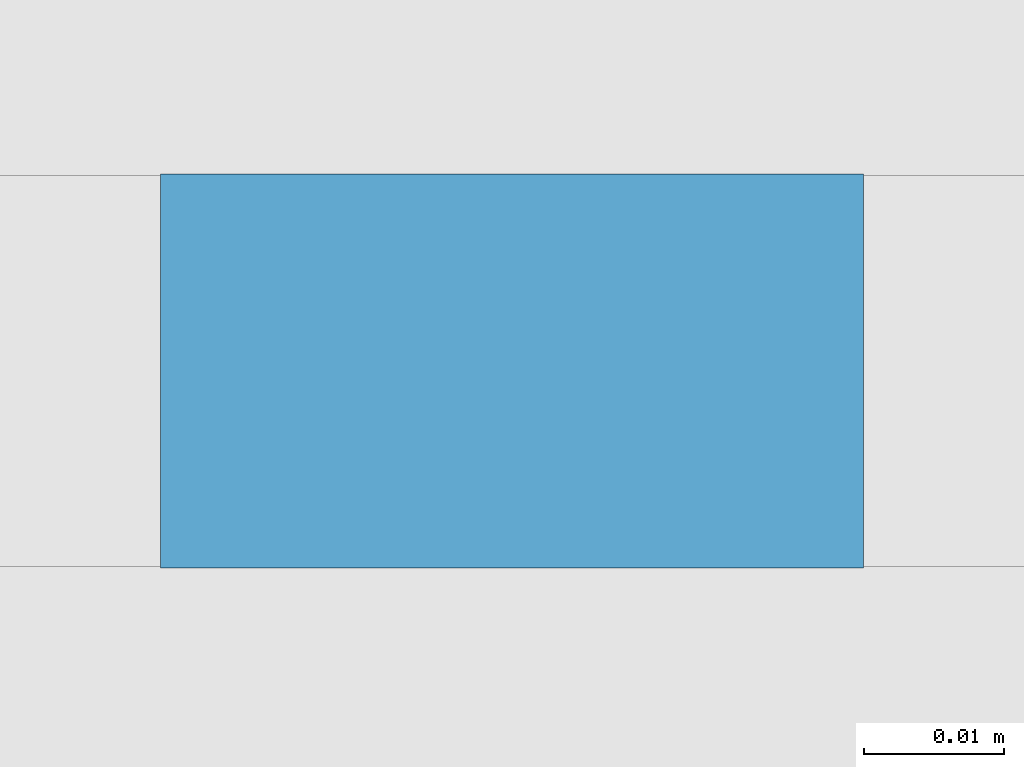
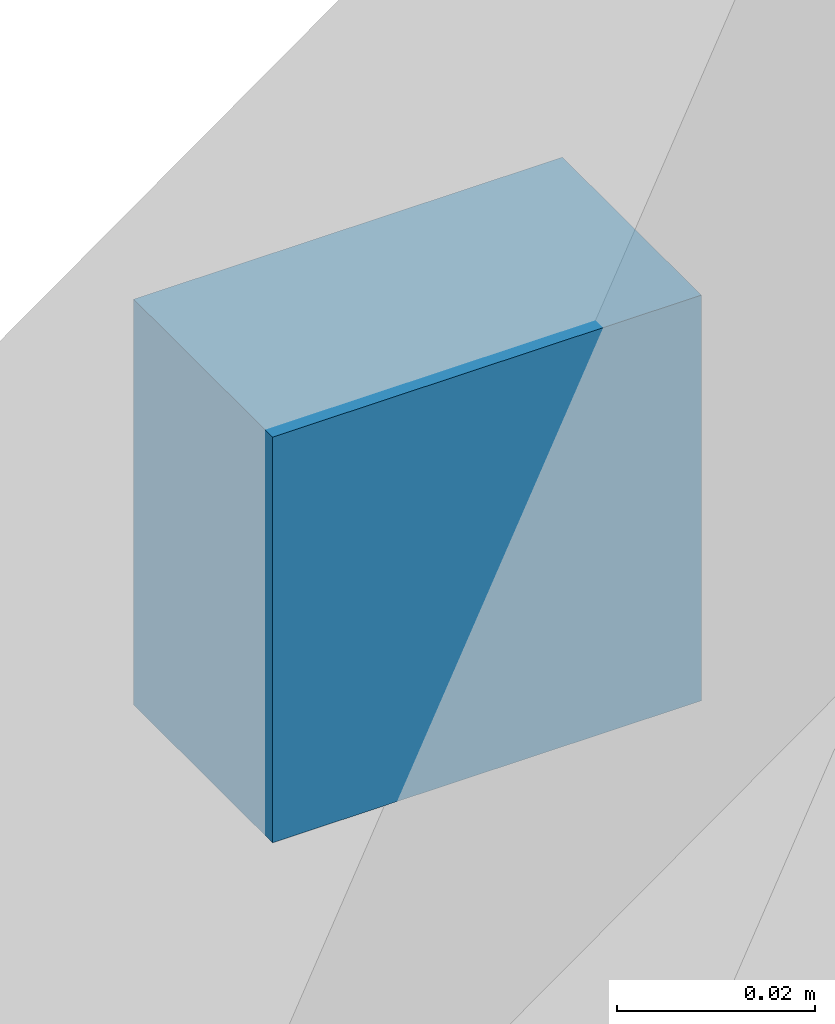
# One storey, part 16 of 18: 1 discrete accessory, 1 element without a shape of its own.
"""IFC4 building model written with IfcOpenShell, lengths in metres."""

import ifcopenshell
import ifcopenshell.guid

model = None  # the IFC model being written
_history = None  # IfcOwnerHistory: only IFC2X3 demands one
_inside = {}  # id of a spatial element -> (the spatial element, [elements in it])
_under = {}  # id of a project, library or spatial element -> (it, [spatial elements below it])
_declared = {}  # id of a project -> (the project, [libraries it declares])
_typed = {}  # id of a type object -> (the type object, [elements of that type])
_made_of = {}  # id of a material, layer set ... -> (it, [elements and type objects made of it])


def new_model(schema):
    """Start an empty IFC model of exactly this schema.

    Asked for "IFC4X3", IfcOpenShell would pick the latest addendum, in which some entities
    have other attributes; the version numbers below select the first issue.
    IFC2X3 requires an IfcOwnerHistory on every rooted entity: one is made here for all.
    """
    global model, _history
    if schema == "IFC4X3":
        model = ifcopenshell.file(schema_version=(4, 3, 0, 0))
    else:
        model = ifcopenshell.file(schema=schema)
    _inside.clear()
    _under.clear()
    _declared.clear()
    _typed.clear()
    _made_of.clear()
    _history = None
    if model.schema == "IFC2X3":
        org = make("IfcOrganization", Name="unknown")
        user = make(
            "IfcPersonAndOrganization",
            ThePerson=make("IfcPerson", FamilyName="unknown"),
            TheOrganization=org,
        )
        app = make(
            "IfcApplication",
            ApplicationDeveloper=org,
            Version="unknown",
            ApplicationFullName="unknown",
            ApplicationIdentifier="unknown",
        )
        _history = make(
            "IfcOwnerHistory",
            OwningUser=user,
            OwningApplication=app,
            ChangeAction="ADDED",
            CreationDate=0,
        )
    return model


def make(cls, **values):
    """One entity of the class cls with the attributes given. An attribute that is None is left unset."""
    return model.create_entity(
        cls, **{name: value for name, value in values.items() if value is not None}
    )


def rooted(cls, **values):
    """An entity with a GlobalId (a new one), such as an element, a storey or a relation."""
    return make(cls, GlobalId=ifcopenshell.guid.new(), OwnerHistory=_history, **values)


def si_unit(unit_type, name, prefix=None):
    """IfcSIUnit, for example si_unit("LENGTHUNIT", "METRE", prefix="MILLI")."""
    return make("IfcSIUnit", UnitType=unit_type, Prefix=prefix, Name=name)


def assignment(units):
    """IfcUnitAssignment: the units of a project."""
    return None if units is None else make("IfcUnitAssignment", Units=units)


def point(xyz):
    """IfcCartesianPoint."""
    return None if xyz is None else make("IfcCartesianPoint", Coordinates=xyz)


def direction(xyz):
    """IfcDirection."""
    return None if xyz is None else make("IfcDirection", DirectionRatios=xyz)


def frame(location, z_axis=None, x_axis=None):
    """IfcAxis2Placement3D, a coordinate frame: its origin and axes. An axis left out is left unset."""
    return make(
        "IfcAxis2Placement3D",
        Location=point(location),
        Axis=direction(z_axis),
        RefDirection=direction(x_axis),
    )


def frame_2d(location, x_axis=None):
    """IfcAxis2Placement2D, a coordinate frame in the plane: its origin and x axis."""
    return make(
        "IfcAxis2Placement2D", Location=point(location), RefDirection=direction(x_axis)
    )


def origin():
    """The frame at (0, 0, 0) with its axes left unset."""
    return frame((0.0, 0.0, 0.0))


def origin_2d():
    """The frame at (0, 0) in the plane with its x axis left unset."""
    return frame_2d((0.0, 0.0))


def place(relative_to, where):
    """IfcLocalPlacement: puts the frame where relative to a parent placement (None: the world)."""
    return make(
        "IfcLocalPlacement", PlacementRelTo=relative_to, RelativePlacement=where
    )


def context(
    kind, dimensions, precision=None, world=None, true_north=None, identifier=None
):
    """IfcGeometricRepresentationContext, for example the 3D "Model" context."""
    return make(
        "IfcGeometricRepresentationContext",
        ContextIdentifier=identifier,
        ContextType=kind,
        CoordinateSpaceDimension=dimensions,
        Precision=precision,
        WorldCoordinateSystem=world,
        TrueNorth=true_north,
    )


def subcontext(parent, identifier, kind, view, scale=None):
    """IfcGeometricRepresentationSubContext, for example "Body" below "Model"."""
    return make(
        "IfcGeometricRepresentationSubContext",
        ContextIdentifier=identifier,
        ContextType=kind,
        ParentContext=parent,
        TargetScale=scale,
        TargetView=view,
    )


def project(units=None, contexts=None):
    """IfcProject with its units and contexts."""
    return rooted(
        "IfcProject",
        Name="project",
        RepresentationContexts=contexts,
        UnitsInContext=assignment(units),
    )


def spatial(cls, under=None, at=None, **own):
    """A site, building, storey or space (cls), placed at a placement, below another one or the project."""
    s = rooted(cls, ObjectPlacement=at, **own)
    if under is not None:
        _under.setdefault(under.id(), (under, []))[1].append(s)
    return s


def profile(cls, at=None, kind="AREA", **sizes):
    """A parametric profile (cls). Its sizes go by their IFC names, for example OverallWidth=200.0."""
    return make(cls, ProfileType=kind, Position=at, **sizes)


def rectangle(**sizes):
    """IfcRectangleProfileDef."""
    return profile("IfcRectangleProfileDef", **sizes)


def extrude(swept, where, along, depth):
    """IfcExtrudedAreaSolid: the profile swept, set in the frame where, extruded along a direction by depth."""
    return make(
        "IfcExtrudedAreaSolid",
        SweptArea=swept,
        Position=where,
        ExtrudedDirection=direction(along),
        Depth=depth,
    )


def shape(context_of_items, identifier, shape_type, items):
    """IfcShapeRepresentation: the items that make up one representation, for example the "Body"."""
    return make(
        "IfcShapeRepresentation",
        ContextOfItems=context_of_items,
        RepresentationIdentifier=identifier,
        RepresentationType=shape_type,
        Items=items,
    )


def material(Name=None, Category=None):
    """IfcMaterial."""
    return make("IfcMaterial", Name=Name, Category=Category)


def made_of(thing, what):
    """Note that an element or type object is made of a material, layer set ...; save() writes the relation."""
    if what is not None:
        _made_of.setdefault(what.id(), (what, []))[1].append(thing)
    return thing


def type_object(cls, material=None, **own):
    """A type object (cls), such as IfcWallType, which elements share."""
    return made_of(rooted(cls, **own), material)


def element(
    cls,
    number,
    at=None,
    inside=None,
    cuts=None,
    type_object=None,
    material=None,
    context=None,
    identifier="Body",
    shape_type=None,
    held_by="IfcProductDefinitionShape",
    body=None,
    shapes=None,
    **own,
):
    """One element of the class cls, such as IfcWall. Its Tag is "e" and its number.

    at: its placement. inside: the storey or other place that contains it. cuts: it is an
    opening in that element (IfcRelVoidsElement). A single representation is given by context,
    identifier, shape_type and body (its items); several are given by shapes. held_by: the class
    of the entity that holds the representations. save() writes the other relations.
    """
    e = rooted(cls, Tag="e%d" % number, ObjectPlacement=at, **own)
    if body is not None:
        shapes = [shape(context, identifier, shape_type, body)]
    if shapes is not None:
        e.Representation = make(held_by, Representations=shapes)
    if inside is not None:
        _inside.setdefault(inside.id(), (inside, []))[1].append(e)
    if cuts is not None:
        rooted(
            "IfcRelVoidsElement", RelatingBuildingElement=cuts, RelatedOpeningElement=e
        )
    if type_object is not None:
        _typed.setdefault(type_object.id(), (type_object, []))[1].append(e)
    return made_of(e, material)


def aggregate(whole, parts):
    """IfcRelAggregates: a whole, such as a stair, and the parts it consists of."""
    return rooted("IfcRelAggregates", RelatingObject=whole, RelatedObjects=parts)


def save(model, path):
    """Write the relations noted so far, then the file.

    IfcRelAggregates (storeys below a building ...), IfcRelContainedInSpatialStructure (elements
    in a storey), IfcRelDefinesByType, IfcRelAssociatesMaterial and IfcRelDeclares: one each for
    every whole, place, type object, material and project.
    """
    for whole, parts in _under.values():
        aggregate(whole, parts)
    for where, things in _inside.values():
        rooted(
            "IfcRelContainedInSpatialStructure",
            RelatedElements=things,
            RelatingStructure=where,
        )
    for kind, things in _typed.values():
        rooted("IfcRelDefinesByType", RelatedObjects=things, RelatingType=kind)
    for what, things in _made_of.values():
        rooted("IfcRelAssociatesMaterial", RelatedObjects=things, RelatingMaterial=what)
    for by, libraries in _declared.values():
        rooted("IfcRelDeclares", RelatingContext=by, RelatedDefinitions=libraries)
    model.write(path)


model = new_model("IFC4")

# Units and contexts
model_context = context("Model", 3, precision=1e-05, world=origin(), true_north=direction((0.0, 1.0)))
body_context = subcontext(model_context, "Body", "Model", "MODEL_VIEW")
ifc_project = project(units=[si_unit("LENGTHUNIT", "METRE"), si_unit("AREAUNIT", "SQUARE_METRE"), si_unit("VOLUMEUNIT", "CUBIC_METRE"), si_unit("PLANEANGLEUNIT", "RADIAN"), si_unit("MASSUNIT", "GRAM", prefix="KILO")], contexts=[model_context])

# Site, building, storey
site_placement = place(None, origin())
site = spatial("IfcSite", under=ifc_project, at=site_placement, CompositionType="ELEMENT")
building_placement = place(site_placement, origin())
building = spatial("IfcBuilding", under=site, at=building_placement, Name="Tessera Arch", CompositionType="ELEMENT")
storey_placement = place(building_placement, frame((0.0, 0.0, 154.39990234375)))
storey = spatial("IfcBuildingStorey", under=building, at=storey_placement, Name="L36", CompositionType="ELEMENT", Elevation=154.39990234375)

# Curtain wall, discrete accessory
ifc_material = material(Name="CW3 curtain wall")
curtain_wall_type = type_object("IfcCurtainWallType", Name="CW3 curtain wall", PredefinedType="NOTDEFINED", material=ifc_material)
curtain_wall_placement = place(storey_placement, origin())
curtain_wall = element("IfcCurtainWall", 1, at=curtain_wall_placement, inside=storey, type_object=curtain_wall_type, Name="CW3 curtain wall N54.0/1 L36", PredefinedType="NOTDEFINED")
discrete_accessory_placement = place(storey_placement, frame((39.954833984375, 54.0439453125, 1.10888671875), z_axis=(0.0, 0.0, 1.0), x_axis=(-1.0, 0.0, 0.0)))
discrete_accessory = element("IfcDiscreteAccessory", 2, at=discrete_accessory_placement, Name="Glazing bracket", PredefinedType="BRACKET", context=body_context, shape_type="SweptSolid", body=[
    extrude(rectangle(XDim=0.050048828125, YDim=0.028076171875, at=origin_2d()), origin(), (0.0, 0.0, 1.0), 0.050048828125),
])
aggregate(curtain_wall, [discrete_accessory])

save(model, "model.ifc")
